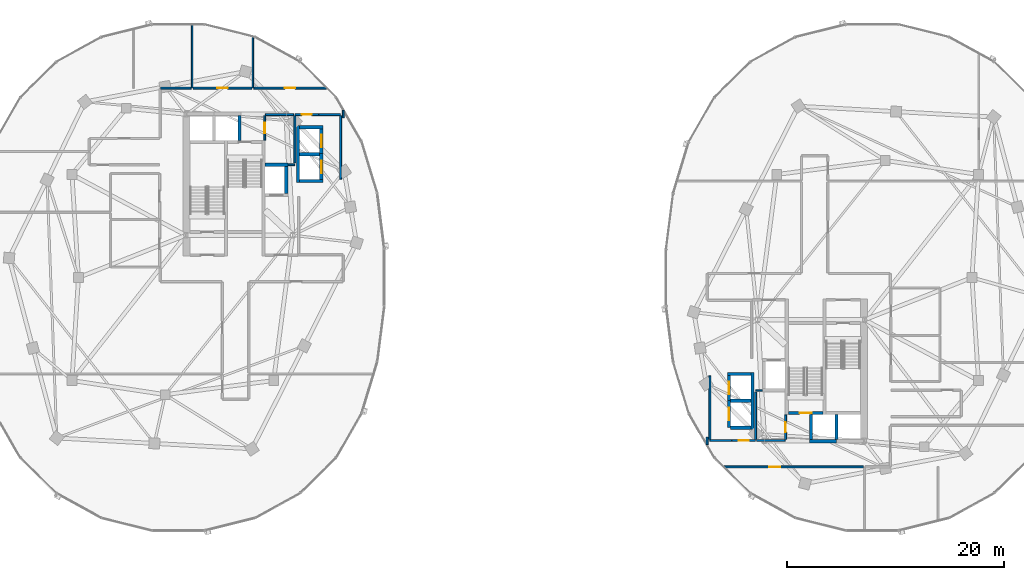
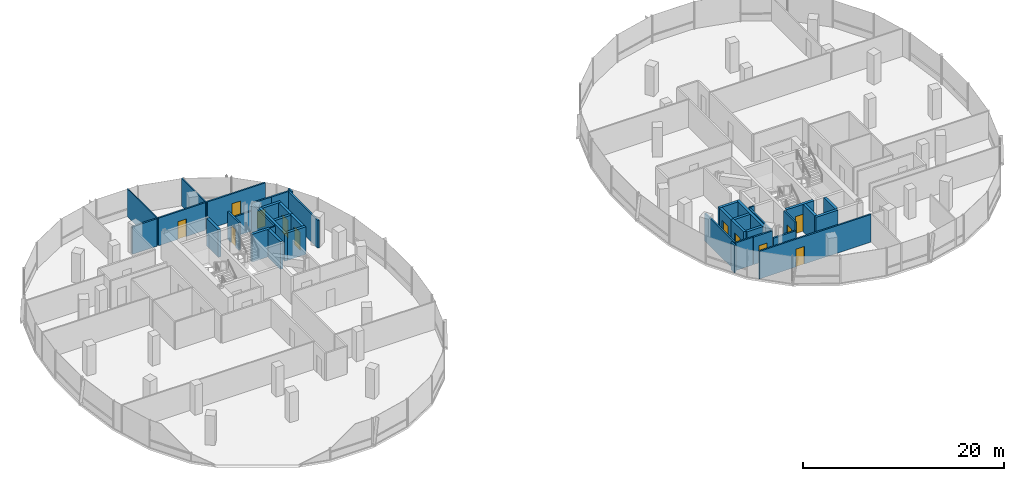
# One storey, part 13 of 22: 41 walls, 12 doors, 12 openings.
"""IFC4 building model written with IfcOpenShell, lengths in metres."""

from ifc_helpers import new_model, si_unit, direction, frame, frame_2d, origin, place, context, subcontext, project, spatial, rectangle, extrude, material, layer, layer_set, type_object, element, fill, save


model = new_model("IFC4")

# Units and contexts
model_context = context("Model", 3, precision=1e-05, world=origin(), true_north=direction((0.0, 1.0)))
body_context = subcontext(model_context, "Body", "Model", "MODEL_VIEW")
ifc_project = project(units=[si_unit("LENGTHUNIT", "METRE"), si_unit("AREAUNIT", "SQUARE_METRE"), si_unit("VOLUMEUNIT", "CUBIC_METRE"), si_unit("PLANEANGLEUNIT", "RADIAN"), si_unit("MASSUNIT", "GRAM", prefix="KILO"), si_unit("THERMODYNAMICTEMPERATUREUNIT", "KELVIN"), si_unit("POWERUNIT", "WATT")], contexts=[model_context])

# Site, building, storey
site_placement = place(None, origin())
site = spatial("IfcSite", under=ifc_project, at=site_placement, CompositionType="ELEMENT")
building_placement = place(site_placement, origin())
building = spatial("IfcBuilding", under=site, at=building_placement, Name="Cundina Bronze Exchange", CompositionType="ELEMENT")
storey_placement = place(building_placement, frame((0.0, 0.0, 162.0)))
storey = spatial("IfcBuildingStorey", under=building, at=storey_placement, Name="L42", CompositionType="ELEMENT", Elevation=162.0)

# Wall
ifc_material_1 = material(Name="Gypsum Fireboard Partition EI120")
ifc_layer_1 = layer(ifc_material_1, 0.179931640625, Name="Gypsum Fireboard Partition EI120")
ifc_layer_set_1 = layer_set([ifc_layer_1], Name="Gypsum Fireboard Partition EI120")
wall_type_1 = type_object("IfcWallType", Name="WL-COR-180", PredefinedType="PARTITIONING", material=ifc_layer_set_1)
wall_1_placement = place(storey_placement, frame((-17.02001953125, 9.070068359375, 0.0), z_axis=(0.0, 0.0, 1.0), x_axis=(0.0, 1.0, 0.0)))
element("IfcWall", 1, at=wall_1_placement, inside=storey, type_object=wall_type_1, Name="L42 Interior Partition 001", PredefinedType="PARTITIONING", context=body_context, shape_type="SweptSolid", body=[
    extrude(rectangle(XDim=5.85986328125, YDim=0.179931640625, at=frame_2d((2.929931640625, 0.0))), origin(), (0.0, 0.0, 1.0), 3.360107421875),
])

# Wall, opening, door
wall_2_placement = place(storey_placement, frame((-21.22998046875, 15.030029296875, 0.0), z_axis=(0.0, 0.0, 1.0), x_axis=(1.0, 0.0, 0.0)))
wall_2 = element("IfcWall", 2, at=wall_2_placement, inside=storey, type_object=wall_type_1, Name="L42 Interior Partition 002", PredefinedType="PARTITIONING", context=body_context, shape_type="SweptSolid", body=[
    extrude(rectangle(XDim=2.159912109375, YDim=0.179931640625, at=frame_2d((1.080078125, 0.0))), origin(), (0.0, 0.0, 1.0), 3.360107421875),
])
opening_1_placement = place(wall_2_placement, frame((0.60498046875, 0.0, 0.0)))
opening_1 = element("IfcOpeningElement", 3, at=opening_1_placement, cuts=wall_2, Name="Opening DW-01", PredefinedType="OPENING", context=body_context, shape_type="SweptSolid", body=[
    extrude(rectangle(XDim=0.949951171875, YDim=2.10009765625, at=frame_2d((0.47509765625, 1.050048828125))), frame((0.0, 0.099853515625, 0.0), z_axis=(0.0, -1.0, 0.0), x_axis=(1.0, 0.0, 0.0)), (0.0, 0.0, 1.0), 0.199951171875),
])
ifc_material_2 = material(Name="Solid Andean Oak Timber Grade A", Category="wood")
door_type_1 = type_object("IfcDoorType", Name="DR-WC-950", OperationType="NOTDEFINED", PredefinedType="DOOR", material=ifc_material_2)
door_1_placement = place(opening_1_placement, origin())
door_1 = element("IfcDoor", 4, at=door_1_placement, inside=storey, type_object=door_type_1, Name="L42 Interior Door 002", OperationType="SINGLE_SWING_RIGHT", OverallHeight=2.10009765625, OverallWidth=0.949951171875, PredefinedType="DOOR", context=body_context, shape_type="SweptSolid", body=[
    extrude(rectangle(XDim=0.949951171875, YDim=2.10009765625, at=frame_2d((0.47509765625, 1.050048828125))), frame((0.0, 0.02490234375, 0.0), z_axis=(0.0, -1.0, 0.0), x_axis=(1.0, 0.0, 0.0)), (0.0, 0.0, 1.0), 0.050048828125),
])
fill(opening_1, door_1)

# Walls
wall_3_placement = place(storey_placement, frame((-19.030029296875, 15.030029296875, 0.0), z_axis=(0.0, 0.0, 1.0), x_axis=(1.0, 0.0, 0.0)))
element("IfcWall", 5, at=wall_3_placement, inside=storey, type_object=wall_type_1, Name="L42 Interior Partition 003", PredefinedType="PARTITIONING", context=body_context, shape_type="SweptSolid", body=[
    extrude(rectangle(XDim=1.989990234375, YDim=0.179931640625, at=frame_2d((0.9951171875, 0.0))), origin(), (0.0, 0.0, 1.0), 3.360107421875),
])
wall_4_placement = place(storey_placement, frame((-21.25, 10.570068359375, 0.0), z_axis=(0.0, 0.0, 1.0), x_axis=(0.0, 1.0, 0.0)))
element("IfcWall", 6, at=wall_4_placement, inside=storey, type_object=wall_type_1, Name="L42 Interior Partition 005", PredefinedType="PARTITIONING", context=body_context, shape_type="SweptSolid", body=[
    extrude(rectangle(XDim=4.35986328125, YDim=0.179931640625, at=frame_2d((2.179931640625, 0.0))), origin(), (0.0, 0.0, 1.0), 3.360107421875),
])
wall_5_placement = place(storey_placement, frame((-23.9599609375, 15.030029296875, 0.0), z_axis=(0.0, 0.0, 1.0), x_axis=(1.0, 0.0, 0.0)))
element("IfcWall", 7, at=wall_5_placement, inside=storey, type_object=wall_type_1, Name="L42 Interior Partition 006", PredefinedType="PARTITIONING", context=body_context, shape_type="SweptSolid", body=[
    extrude(rectangle(XDim=2.60986328125, YDim=0.179931640625, at=frame_2d((1.304931640625, 0.0))), origin(), (0.0, 0.0, 1.0), 2.43310546875),
])

# Wall, opening, door
wall_6_placement = place(storey_placement, frame((-24.02001953125, 12.669921875, 0.0), z_axis=(0.0, 0.0, 1.0), x_axis=(0.0, 1.0, 0.0)))
wall_6 = element("IfcWall", 8, at=wall_6_placement, inside=storey, type_object=wall_type_1, Name="L42 Interior Partition 007", PredefinedType="PARTITIONING", context=body_context, shape_type="SweptSolid", body=[
    extrude(rectangle(XDim=2.260009765625, YDim=0.179931640625, at=frame_2d((1.1298828125, 0.0))), origin(), (0.0, 0.0, 1.0), 3.360107421875),
])
opening_2_placement = place(wall_6_placement, frame((0.655029296875, 0.0, 0.0)))
opening_2 = element("IfcOpeningElement", 9, at=opening_2_placement, cuts=wall_6, Name="Opening DW-01", PredefinedType="OPENING", context=body_context, shape_type="SweptSolid", body=[
    extrude(rectangle(XDim=0.949951171875, YDim=2.10009765625, at=frame_2d((0.47509765625, 1.050048828125))), frame((0.0, 0.099853515625, 0.0), z_axis=(0.0, -1.0, 0.0), x_axis=(1.0, 0.0, 0.0)), (0.0, 0.0, 1.0), 0.199951171875),
])
door_2_placement = place(opening_2_placement, origin())
door_2 = element("IfcDoor", 10, at=door_2_placement, inside=storey, type_object=door_type_1, Name="L42 Interior Door 007", OperationType="SINGLE_SWING_RIGHT", OverallHeight=2.10009765625, OverallWidth=0.949951171875, PredefinedType="DOOR", context=body_context, shape_type="SweptSolid", body=[
    extrude(rectangle(XDim=0.949951171875, YDim=2.10009765625, at=frame_2d((0.47509765625, 1.050048828125))), frame((0.0, 0.02490234375, 0.0), z_axis=(0.0, -1.0, 0.0), x_axis=(1.0, 0.0, 0.0)), (0.0, 0.0, 1.0), 0.050048828125),
])
fill(opening_2, door_2)

# Walls
wall_7_placement = place(storey_placement, frame((-16.780029296875, 14.721435546875, 0.0), z_axis=(0.0, 0.0, 1.0), x_axis=(0.0, 1.0, 0.0)))
element("IfcWall", 11, at=wall_7_placement, inside=storey, type_object=wall_type_1, Name="L42 Interior Partition 033", PredefinedType="PARTITIONING", context=body_context, shape_type="SweptSolid", body=[
    extrude(rectangle(XDim=0.68359375, YDim=0.179931640625, at=frame_2d((0.341796875, 0.0))), origin(), (0.0, 0.0, 1.0), 3.360107421875),
])
wall_8_placement = place(storey_placement, frame((-30.81005859375, 17.469970703125, 0.0), z_axis=(0.0, 0.0, 1.0), x_axis=(-1.0, 0.0, 0.0)))
element("IfcWall", 12, at=wall_8_placement, inside=storey, type_object=wall_type_1, Name="L42 Interior Partition 038", PredefinedType="PARTITIONING", context=body_context, shape_type="SweptSolid", body=[
    extrude(rectangle(XDim=2.818359375, YDim=0.179931640625, at=frame_2d((1.4091796875, 0.0))), origin(), (0.0, 0.0, 1.0), 3.360107421875),
])

# Wall, opening, door
wall_9_placement = place(storey_placement, frame((-18.341796875, 17.469970703125, 0.0), z_axis=(0.0, 0.0, 1.0), x_axis=(-1.0, 0.0, 0.0)))
wall_9 = element("IfcWall", 13, at=wall_9_placement, inside=storey, type_object=wall_type_1, Name="L42 Interior Partition 040", PredefinedType="PARTITIONING", context=body_context, shape_type="SweptSolid", body=[
    extrude(rectangle(XDim=6.688232421875, YDim=0.179931640625, at=frame_2d((3.34423828125, 0.0))), origin(), (0.0, 0.0, 1.0), 3.360107421875),
])
opening_3_placement = place(wall_9_placement, frame((2.84423828125, 0.0, 0.0)))
opening_3 = element("IfcOpeningElement", 14, at=opening_3_placement, cuts=wall_9, Name="Opening DO-01", PredefinedType="OPENING", context=body_context, shape_type="SweptSolid", body=[
    extrude(rectangle(XDim=1.0, YDim=2.14990234375, at=frame_2d((0.5, 1.074951171875))), frame((0.0, 0.099853515625, 0.0), z_axis=(0.0, -1.0, 0.0), x_axis=(1.0, 0.0, 0.0)), (0.0, 0.0, 1.0), 0.199951171875),
])
door_type_2 = type_object("IfcDoorType", Name="DR-OFF-1000", OperationType="NOTDEFINED", PredefinedType="DOOR", material=ifc_material_2)
door_3_placement = place(opening_3_placement, origin())
door_3 = element("IfcDoor", 15, at=door_3_placement, inside=storey, type_object=door_type_2, Name="L42 Interior Door 040", OperationType="SINGLE_SWING_RIGHT", OverallHeight=2.14990234375, OverallWidth=1.0, PredefinedType="DOOR", context=body_context, shape_type="SweptSolid", body=[
    extrude(rectangle(XDim=1.0, YDim=2.14990234375, at=frame_2d((0.5, 1.074951171875))), frame((0.0, 0.02490234375, 0.0), z_axis=(0.0, -1.0, 0.0), x_axis=(1.0, 0.0, 0.0)), (0.0, 0.0, 1.0), 0.050048828125),
])
fill(opening_3, door_3)

wall_10_placement = place(storey_placement, frame((-25.2099609375, 17.469970703125, 0.0), z_axis=(0.0, 0.0, 1.0), x_axis=(-1.0, 0.0, 0.0)))
wall_10 = element("IfcWall", 16, at=wall_10_placement, inside=storey, type_object=wall_type_1, Name="L42 Interior Partition 041", PredefinedType="PARTITIONING", context=body_context, shape_type="SweptSolid", body=[
    extrude(rectangle(XDim=5.419921875, YDim=0.179931640625, at=frame_2d((2.7099609375, 0.0))), origin(), (0.0, 0.0, 1.0), 3.360107421875),
])
opening_4_placement = place(wall_10_placement, frame((2.2099609375, 0.0, 0.0)))
opening_4 = element("IfcOpeningElement", 17, at=opening_4_placement, cuts=wall_10, Name="Opening DO-01", PredefinedType="OPENING", context=body_context, shape_type="SweptSolid", body=[
    extrude(rectangle(XDim=1.0, YDim=2.14990234375, at=frame_2d((0.5, 1.074951171875))), frame((0.0, 0.099853515625, 0.0), z_axis=(0.0, -1.0, 0.0), x_axis=(1.0, 0.0, 0.0)), (0.0, 0.0, 1.0), 0.199951171875),
])
door_4_placement = place(opening_4_placement, origin())
door_4 = element("IfcDoor", 18, at=door_4_placement, inside=storey, type_object=door_type_2, Name="L42 Interior Door 041", OperationType="SINGLE_SWING_RIGHT", OverallHeight=2.14990234375, OverallWidth=1.0, PredefinedType="DOOR", context=body_context, shape_type="SweptSolid", body=[
    extrude(rectangle(XDim=1.0, YDim=2.14990234375, at=frame_2d((0.5, 1.074951171875))), frame((0.0, 0.02490234375, 0.0), z_axis=(0.0, -1.0, 0.0), x_axis=(1.0, 0.0, 0.0)), (0.0, 0.0, 1.0), 0.050048828125),
])
fill(opening_4, door_4)

# Walls
wall_11_placement = place(storey_placement, frame((17.02001953125, -14.929931640625, 0.0), z_axis=(0.0, 0.0, 1.0), x_axis=(0.0, 1.0, 0.0)))
element("IfcWall", 19, at=wall_11_placement, inside=storey, type_object=wall_type_1, Name="L42 Interior Partition 042", PredefinedType="PARTITIONING", context=body_context, shape_type="SweptSolid", body=[
    extrude(rectangle(XDim=5.85986328125, YDim=0.179931640625, at=frame_2d((2.929931640625, 0.0))), origin(), (0.0, 0.0, 1.0), 3.360107421875),
])
wall_12_placement = place(storey_placement, frame((17.0400390625, -15.030029296875, 0.0), z_axis=(0.0, 0.0, 1.0), x_axis=(1.0, 0.0, 0.0)))
element("IfcWall", 20, at=wall_12_placement, inside=storey, type_object=wall_type_1, Name="L42 Interior Partition 043", PredefinedType="PARTITIONING", context=body_context, shape_type="SweptSolid", body=[
    extrude(rectangle(XDim=1.989990234375, YDim=0.179931640625, at=frame_2d((0.9951171875, 0.0))), origin(), (0.0, 0.0, 1.0), 3.360107421875),
])

# Wall, opening, door
wall_13_placement = place(storey_placement, frame((21.22998046875, -15.030029296875, 0.0), z_axis=(0.0, 0.0, 1.0), x_axis=(-1.0, 0.0, 0.0)))
wall_13 = element("IfcWall", 21, at=wall_13_placement, inside=storey, type_object=wall_type_1, Name="L42 Interior Partition 044", PredefinedType="PARTITIONING", context=body_context, shape_type="SweptSolid", body=[
    extrude(rectangle(XDim=2.159912109375, YDim=0.179931640625, at=frame_2d((1.080078125, 0.0))), origin(), (0.0, 0.0, 1.0), 3.360107421875),
])
opening_5_placement = place(wall_13_placement, frame((0.60498046875, 0.0, 0.0)))
opening_5 = element("IfcOpeningElement", 22, at=opening_5_placement, cuts=wall_13, Name="Opening DW-01", PredefinedType="OPENING", context=body_context, shape_type="SweptSolid", body=[
    extrude(rectangle(XDim=0.949951171875, YDim=2.10009765625, at=frame_2d((0.47509765625, 1.050048828125))), frame((0.0, 0.099853515625, 0.0), z_axis=(0.0, -1.0, 0.0), x_axis=(1.0, 0.0, 0.0)), (0.0, 0.0, 1.0), 0.199951171875),
])
door_5_placement = place(opening_5_placement, origin())
door_5 = element("IfcDoor", 23, at=door_5_placement, inside=storey, type_object=door_type_1, Name="L42 Interior Door 044", OperationType="SINGLE_SWING_LEFT", OverallHeight=2.10009765625, OverallWidth=0.949951171875, PredefinedType="DOOR", context=body_context, shape_type="SweptSolid", body=[
    extrude(rectangle(XDim=0.949951171875, YDim=2.10009765625, at=frame_2d((0.47509765625, 1.050048828125))), frame((0.0, 0.02490234375, 0.0), z_axis=(0.0, -1.0, 0.0), x_axis=(1.0, 0.0, 0.0)), (0.0, 0.0, 1.0), 0.050048828125),
])
fill(opening_5, door_5)

# Walls
wall_14_placement = place(storey_placement, frame((21.25, -14.929931640625, 0.0), z_axis=(0.0, 0.0, 1.0), x_axis=(0.0, 1.0, 0.0)))
element("IfcWall", 24, at=wall_14_placement, inside=storey, type_object=wall_type_1, Name="L42 Interior Partition 046", PredefinedType="PARTITIONING", context=body_context, shape_type="SweptSolid", body=[
    extrude(rectangle(XDim=4.35986328125, YDim=0.179931640625, at=frame_2d((2.179931640625, 0.0))), origin(), (0.0, 0.0, 1.0), 3.360107421875),
])
wall_15_placement = place(storey_placement, frame((21.35009765625, -15.030029296875, 0.0), z_axis=(0.0, 0.0, 1.0), x_axis=(1.0, 0.0, 0.0)))
element("IfcWall", 25, at=wall_15_placement, inside=storey, type_object=wall_type_1, Name="L42 Interior Partition 047", PredefinedType="PARTITIONING", context=body_context, shape_type="SweptSolid", body=[
    extrude(rectangle(XDim=2.60986328125, YDim=0.179931640625, at=frame_2d((1.304931640625, 0.0))), origin(), (0.0, 0.0, 1.0), 2.43310546875),
])

# Wall, opening, door
wall_16_placement = place(storey_placement, frame((24.02001953125, -14.929931640625, 0.0), z_axis=(0.0, 0.0, 1.0), x_axis=(0.0, 1.0, 0.0)))
wall_16 = element("IfcWall", 26, at=wall_16_placement, inside=storey, type_object=wall_type_1, Name="L42 Interior Partition 048", PredefinedType="PARTITIONING", context=body_context, shape_type="SweptSolid", body=[
    extrude(rectangle(XDim=2.260009765625, YDim=0.179931640625, at=frame_2d((1.1298828125, 0.0))), origin(), (0.0, 0.0, 1.0), 3.360107421875),
])
opening_6_placement = place(wall_16_placement, frame((0.655029296875, 0.0, 0.0)))
opening_6 = element("IfcOpeningElement", 27, at=opening_6_placement, cuts=wall_16, Name="Opening DW-01", PredefinedType="OPENING", context=body_context, shape_type="SweptSolid", body=[
    extrude(rectangle(XDim=0.949951171875, YDim=2.10009765625, at=frame_2d((0.47509765625, 1.050048828125))), frame((0.0, 0.099853515625, 0.0), z_axis=(0.0, -1.0, 0.0), x_axis=(1.0, 0.0, 0.0)), (0.0, 0.0, 1.0), 0.199951171875),
])
door_6_placement = place(opening_6_placement, origin())
door_6 = element("IfcDoor", 28, at=door_6_placement, inside=storey, type_object=door_type_1, Name="L42 Interior Door 048", OperationType="SINGLE_SWING_LEFT", OverallHeight=2.10009765625, OverallWidth=0.949951171875, PredefinedType="DOOR", context=body_context, shape_type="SweptSolid", body=[
    extrude(rectangle(XDim=0.949951171875, YDim=2.10009765625, at=frame_2d((0.47509765625, 1.050048828125))), frame((0.0, 0.02490234375, 0.0), z_axis=(0.0, -1.0, 0.0), x_axis=(1.0, 0.0, 0.0)), (0.0, 0.0, 1.0), 0.050048828125),
])
fill(opening_6, door_6)

wall_17_placement = place(storey_placement, frame((18.341796875, -17.469970703125, 0.0), z_axis=(0.0, 0.0, 1.0), x_axis=(1.0, 0.0, 0.0)))
wall_17 = element("IfcWall", 29, at=wall_17_placement, inside=storey, type_object=wall_type_1, Name="L42 Interior Partition 064", PredefinedType="PARTITIONING", context=body_context, shape_type="SweptSolid", body=[
    extrude(rectangle(XDim=12.84814453125, YDim=0.179931640625, at=frame_2d((6.424072265625, 0.0))), origin(), (0.0, 0.0, 1.0), 3.360107421875),
])
opening_7_placement = place(wall_17_placement, frame((4.182861328125, 0.0, 0.0)))
opening_7 = element("IfcOpeningElement", 30, at=opening_7_placement, cuts=wall_17, Name="Opening DO-01", PredefinedType="OPENING", context=body_context, shape_type="SweptSolid", body=[
    extrude(rectangle(XDim=1.0, YDim=2.14990234375, at=frame_2d((0.5, 1.074951171875))), frame((0.0, 0.099853515625, 0.0), z_axis=(0.0, -1.0, 0.0), x_axis=(1.0, 0.0, 0.0)), (0.0, 0.0, 1.0), 0.199951171875),
])
door_7_placement = place(opening_7_placement, origin())
door_7 = element("IfcDoor", 31, at=door_7_placement, inside=storey, type_object=door_type_2, Name="L42 Interior Door 064", OperationType="SINGLE_SWING_RIGHT", OverallHeight=2.14990234375, OverallWidth=1.0, PredefinedType="DOOR", context=body_context, shape_type="SweptSolid", body=[
    extrude(rectangle(XDim=1.0, YDim=2.14990234375, at=frame_2d((0.5, 1.074951171875))), frame((0.0, 0.02490234375, 0.0), z_axis=(0.0, -1.0, 0.0), x_axis=(1.0, 0.0, 0.0)), (0.0, 0.0, 1.0), 0.050048828125),
])
fill(opening_7, door_7)

# Walls
wall_18_placement = place(storey_placement, frame((16.780029296875, -14.721435546875, 0.0), z_axis=(0.0, 0.0, 1.0), x_axis=(0.0, -1.0, 0.0)))
element("IfcWall", 32, at=wall_18_placement, inside=storey, type_object=wall_type_1, Name="L42 Interior Partition 074", PredefinedType="PARTITIONING", context=body_context, shape_type="SweptSolid", body=[
    extrude(rectangle(XDim=0.68359375, YDim=0.179931640625, at=frame_2d((0.341796875, 0.0))), origin(), (0.0, 0.0, 1.0), 3.360107421875),
])
ifc_material_3 = material(Name="Gypsum Acoustic Partition EI60")
ifc_layer_2 = layer(ifc_material_3, 0.125, Name="Gypsum Acoustic Partition EI60")
ifc_layer_set_2 = layer_set([ifc_layer_2], Name="Gypsum Acoustic Partition EI60")
wall_type_2 = type_object("IfcWallType", Name="WL-OFF-125", PredefinedType="PARTITIONING", material=ifc_layer_set_2)
wall_19_placement = place(storey_placement, frame((-30.719970703125, 17.5, 0.0), z_axis=(0.0, 0.0, 1.0), x_axis=(0.0, 1.0, 0.0)))
element("IfcWall", 33, at=wall_19_placement, inside=storey, type_object=wall_type_2, Name="L42 Interior Partition 021", PredefinedType="PARTITIONING", context=body_context, shape_type="SweptSolid", body=[
    extrude(rectangle(XDim=5.902099609375, YDim=0.125, at=frame_2d((2.951171875, 0.0))), origin(), (0.0, 0.0, 1.0), 3.360107421875),
])
wall_20_placement = place(storey_placement, frame((-25.1201171875, 17.5, 0.0), z_axis=(0.0, 0.0, 1.0), x_axis=(0.0, 1.0, 0.0)))
element("IfcWall", 34, at=wall_20_placement, inside=storey, type_object=wall_type_2, Name="L42 Interior Partition 022", PredefinedType="PARTITIONING", context=body_context, shape_type="SweptSolid", body=[
    extrude(rectangle(XDim=4.791015625, YDim=0.125, at=frame_2d((2.3955078125, 0.0))), origin(), (0.0, 0.0, 1.0), 3.360107421875),
])
ifc_material_4 = material(Name="Concrete C50/60", Category="concrete")
ifc_layer_3 = layer(ifc_material_4, 0.300048828125, Name="Concrete C50/60", Category="concrete")
ifc_layer_set_3 = layer_set([ifc_layer_3], Name="Concrete C50/60")
wall_type_3 = type_object("IfcWallType", Name="WL-SHFT-300", PredefinedType="SHEAR", material=ifc_layer_set_3)
wall_21_placement = place(storey_placement, frame((-23.97998046875, 10.39990234375, 0.0), z_axis=(0.0, 0.0, 1.0), x_axis=(1.0, 0.0, 0.0)))
element("IfcWall", 35, at=wall_21_placement, inside=storey, type_object=wall_type_3, Name="L42 FFL-W Hoistway Back Wall", PredefinedType="SHEAR", context=body_context, shape_type="SweptSolid", body=[
    extrude(rectangle(XDim=2.10009765625, YDim=0.300048828125, at=frame_2d((1.050048828125, 0.0))), origin(), (0.0, 0.0, 1.0), 3.360107421875),
])
wall_22_placement = place(storey_placement, frame((-22.030029296875, 7.75, 0.0), z_axis=(0.0, 0.0, 1.0), x_axis=(0.0, 1.0, 0.0)))
element("IfcWall", 36, at=wall_22_placement, inside=storey, type_object=wall_type_3, Name="L42 FFL-W Hoistway Side Wall", PredefinedType="SHEAR", context=body_context, shape_type="SweptSolid", body=[
    extrude(rectangle(XDim=2.5, YDim=0.300048828125, at=frame_2d((1.25, 0.0))), origin(), (0.0, 0.0, 1.0), 3.360107421875),
])
wall_23_placement = place(storey_placement, frame((-26.35009765625, 12.64990234375, 0.0), z_axis=(0.0, 0.0, 1.0), x_axis=(0.0, 1.0, 0.0)))
element("IfcWall", 37, at=wall_23_placement, inside=storey, type_object=wall_type_3, Name="L42 PH-W2 Hoistway Divider Wall", PredefinedType="SHEAR", context=body_context, shape_type="SweptSolid", body=[
    extrude(rectangle(XDim=2.300048828125, YDim=0.300048828125, at=frame_2d((1.14990234375, 0.0))), origin(), (0.0, 0.0, 1.0), 3.360107421875),
])
wall_24_placement = place(storey_placement, frame((-20.949951171875, 8.75, 0.0), z_axis=(0.0, 0.0, 1.0), x_axis=(0.0, 1.0, 0.0)))
element("IfcWall", 38, at=wall_24_placement, inside=storey, type_object=wall_type_3, Name="L42 W Passenger Bank Hoistway Back Wall", PredefinedType="SHEAR", context=body_context, shape_type="SweptSolid", body=[
    extrude(rectangle(XDim=5.25, YDim=0.300048828125, at=frame_2d((2.625, 0.0))), origin(), (0.0, 0.0, 1.0), 3.360107421875),
])
for number, where, z_axis, x_axis, name in (
    (39, (-20.800048828125, 8.89990234375, 0.0), (0.0, 0.0, 1.0), (1.0, 0.0, 0.0), "L42 W Passenger Bank South Cap Wall"),
    (40, (-20.800048828125, 13.85009765625, 0.0), (0.0, 0.0, 1.0), (1.0, 0.0, 0.0), "L42 W Passenger Bank North Cap Wall"),
):
    element("IfcWall", number, at=place(storey_placement, frame(where, z_axis=z_axis, x_axis=x_axis)), inside=storey, type_object=wall_type_3, Name=name, PredefinedType="SHEAR", context=body_context, shape_type="SweptSolid", body=[
        extrude(rectangle(XDim=2.150146484375, YDim=0.300048828125, at=frame_2d((1.0751953125, 0.0))), origin(), (0.0, 0.0, 1.0), 3.360107421875),
    ])
wall_25_placement = place(storey_placement, frame((-20.800048828125, 11.375, 0.0), z_axis=(0.0, 0.0, 1.0), x_axis=(1.0, 0.0, 0.0)))
element("IfcWall", 41, at=wall_25_placement, inside=storey, type_object=wall_type_3, Name="L42 W Passenger Hoistway Divider 1", PredefinedType="SHEAR", context=body_context, shape_type="SweptSolid", body=[
    extrude(rectangle(XDim=1.85009765625, YDim=0.300048828125, at=frame_2d((0.925048828125, 0.0))), origin(), (0.0, 0.0, 1.0), 3.360107421875),
])

# Wall, opening, door
wall_26_placement = place(storey_placement, frame((-18.800048828125, 8.929931640625, 0.0), z_axis=(0.0, 0.0, 1.0), x_axis=(0.0, 1.0, 0.0)))
wall_26 = element("IfcWall", 42, at=wall_26_placement, inside=storey, type_object=wall_type_3, Name="L42 PM-W2 Hoistway Front Wall", PredefinedType="SHEAR", context=body_context, shape_type="SweptSolid", body=[
    extrude(rectangle(XDim=2.489990234375, YDim=0.300048828125, at=frame_2d((1.2451171875, 0.0))), origin(), (0.0, 0.0, 1.0), 3.360107421875),
])
opening_8_placement = place(wall_26_placement, frame((0.669921875, 0.0, 0.0)))
opening_8 = element("IfcOpeningElement", 43, at=opening_8_placement, cuts=wall_26, Name="Opening LD-01", PredefinedType="OPENING", context=body_context, shape_type="SweptSolid", body=[
    extrude(rectangle(XDim=1.14990234375, YDim=2.199951171875, at=frame_2d((0.574951171875, 1.10009765625))), frame((0.0, 0.159912109375, 0.0), z_axis=(0.0, -1.0, 0.0), x_axis=(1.0, 0.0, 0.0)), (0.0, 0.0, 1.0), 0.320068359375),
])
ifc_material_5 = material(Name="Steel ASTM A36 Painted", Category="steel")
door_type_3 = type_object("IfcDoorType", Name="DR-LND-1150", OperationType="NOTDEFINED", PredefinedType="TRAPDOOR", material=ifc_material_5)
door_8_placement = place(opening_8_placement, origin())
door_8 = element("IfcDoor", 44, at=door_8_placement, inside=storey, type_object=door_type_3, Name="L42 PM-W2 Sliding Landing Door", OperationType="SLIDING_TO_LEFT", OverallHeight=2.199951171875, OverallWidth=1.14990234375, PredefinedType="TRAPDOOR", context=body_context, shape_type="SweptSolid", body=[
    extrude(rectangle(XDim=1.14990234375, YDim=2.199951171875, at=frame_2d((0.574951171875, 1.10009765625))), frame((0.0, 0.02490234375, 0.0), z_axis=(0.0, -1.0, 0.0), x_axis=(1.0, 0.0, 0.0)), (0.0, 0.0, 1.0), 0.050048828125),
])
fill(opening_8, door_8)

wall_27_placement = place(storey_placement, frame((-18.800048828125, 11.330078125, 0.0), z_axis=(0.0, 0.0, 1.0), x_axis=(0.0, 1.0, 0.0)))
wall_27 = element("IfcWall", 45, at=wall_27_placement, inside=storey, type_object=wall_type_3, Name="L42 PM-W1 Hoistway Front Wall", PredefinedType="SHEAR", context=body_context, shape_type="SweptSolid", body=[
    extrude(rectangle(XDim=2.489990234375, YDim=0.300048828125, at=frame_2d((1.2451171875, 0.0))), origin(), (0.0, 0.0, 1.0), 3.360107421875),
])
opening_9_placement = place(wall_27_placement, frame((0.669921875, 0.0, 0.0)))
opening_9 = element("IfcOpeningElement", 46, at=opening_9_placement, cuts=wall_27, Name="Opening LD-01", PredefinedType="OPENING", context=body_context, shape_type="SweptSolid", body=[
    extrude(rectangle(XDim=1.14990234375, YDim=2.199951171875, at=frame_2d((0.574951171875, 1.10009765625))), frame((0.0, 0.159912109375, 0.0), z_axis=(0.0, -1.0, 0.0), x_axis=(1.0, 0.0, 0.0)), (0.0, 0.0, 1.0), 0.320068359375),
])
door_9_placement = place(opening_9_placement, origin())
door_9 = element("IfcDoor", 47, at=door_9_placement, inside=storey, type_object=door_type_3, Name="L42 PM-W1 Sliding Landing Door", OperationType="SLIDING_TO_LEFT", OverallHeight=2.199951171875, OverallWidth=1.14990234375, PredefinedType="TRAPDOOR", context=body_context, shape_type="SweptSolid", body=[
    extrude(rectangle(XDim=1.14990234375, YDim=2.199951171875, at=frame_2d((0.574951171875, 1.10009765625))), frame((0.0, 0.02490234375, 0.0), z_axis=(0.0, -1.0, 0.0), x_axis=(1.0, 0.0, 0.0)), (0.0, 0.0, 1.0), 0.050048828125),
])
fill(opening_9, door_9)

wall_28_placement = place(storey_placement, frame((24.280029296875, -12.5, 0.0), z_axis=(0.0, 0.0, 1.0), x_axis=(1.0, 0.0, 0.0)))
wall_28 = element("IfcWall", 48, at=wall_28_placement, inside=storey, type_object=wall_type_3, Name="L42 Stair E2 Landing Wall", PredefinedType="SHEAR", context=body_context, shape_type="SweptSolid", body=[
    extrude(rectangle(XDim=3.159912109375, YDim=0.300048828125, at=frame_2d((1.580078125, 0.0))), origin(), (0.0, 0.0, 1.0), 3.360107421875),
])
opening_10_placement = place(wall_28_placement, frame((1.030029296875, 0.0, 0.0)))
opening_10 = element("IfcOpeningElement", 49, at=opening_10_placement, cuts=wall_28, Name="Opening DS-01", PredefinedType="OPENING", context=body_context, shape_type="SweptSolid", body=[
    extrude(rectangle(XDim=1.10009765625, YDim=2.14990234375, at=frame_2d((0.550048828125, 1.074951171875))), frame((0.0, 0.159912109375, 0.0), z_axis=(0.0, -1.0, 0.0), x_axis=(1.0, 0.0, 0.0)), (0.0, 0.0, 1.0), 0.320068359375),
])
door_type_4 = type_object("IfcDoorType", Name="DR-STR-1100", OperationType="NOTDEFINED", PredefinedType="DOOR", material=ifc_material_5)
door_10_placement = place(opening_10_placement, origin())
door_10 = element("IfcDoor", 50, at=door_10_placement, inside=storey, type_object=door_type_4, Name="L42 Smokeproof Stair E2 Door", OperationType="SINGLE_SWING_RIGHT", OverallHeight=2.14990234375, OverallWidth=1.10009765625, PredefinedType="DOOR", context=body_context, shape_type="SweptSolid", body=[
    extrude(rectangle(XDim=1.10009765625, YDim=2.14990234375, at=frame_2d((0.550048828125, 1.074951171875))), frame((0.0, 0.02490234375, 0.0), z_axis=(0.0, -1.0, 0.0), x_axis=(1.0, 0.0, 0.0)), (0.0, 0.0, 1.0), 0.050048828125),
])
fill(opening_10, door_10)

# Walls
wall_29_placement = place(storey_placement, frame((28.699951171875, -14.949951171875, 0.0), z_axis=(0.0, 0.0, 1.0), x_axis=(0.0, 1.0, 0.0)))
element("IfcWall", 51, at=wall_29_placement, inside=storey, type_object=wall_type_3, Name="L42 PH-E1 Hoistway Divider Wall", PredefinedType="SHEAR", context=body_context, shape_type="SweptSolid", body=[
    extrude(rectangle(XDim=2.300048828125, YDim=0.300048828125, at=frame_2d((1.14990234375, 0.0))), origin(), (0.0, 0.0, 1.0), 3.360107421875),
])
wall_30_placement = place(storey_placement, frame((26.199951171875, -15.10009765625, 0.0), z_axis=(0.0, 0.0, 1.0), x_axis=(1.0, 0.0, 0.0)))
element("IfcWall", 52, at=wall_30_placement, inside=storey, type_object=wall_type_3, Name="L42 PH-E2 Hoistway Front Wall", PredefinedType="SHEAR", context=body_context, shape_type="SweptSolid", body=[
    extrude(rectangle(XDim=2.5, YDim=0.300048828125, at=frame_2d((1.25, 0.0))), origin(), (0.0, 0.0, 1.0), 3.360107421875),
])
wall_31_placement = place(storey_placement, frame((26.35009765625, -14.949951171875, 0.0), z_axis=(0.0, 0.0, 1.0), x_axis=(0.0, 1.0, 0.0)))
element("IfcWall", 53, at=wall_31_placement, inside=storey, type_object=wall_type_3, Name="L42 PH-E2 Hoistway Divider Wall", PredefinedType="SHEAR", context=body_context, shape_type="SweptSolid", body=[
    extrude(rectangle(XDim=2.300048828125, YDim=0.300048828125, at=frame_2d((1.14990234375, 0.0))), origin(), (0.0, 0.0, 1.0), 3.360107421875),
])
wall_32_placement = place(storey_placement, frame((20.949951171875, -14.0, 0.0), z_axis=(0.0, 0.0, 1.0), x_axis=(0.0, 1.0, 0.0)))
element("IfcWall", 54, at=wall_32_placement, inside=storey, type_object=wall_type_3, Name="L42 E Passenger Bank Hoistway Back Wall", PredefinedType="SHEAR", context=body_context, shape_type="SweptSolid", body=[
    extrude(rectangle(XDim=5.25, YDim=0.300048828125, at=frame_2d((2.625, 0.0))), origin(), (0.0, 0.0, 1.0), 3.360107421875),
])
wall_33_placement = place(storey_placement, frame((18.949951171875, -13.85009765625, 0.0), z_axis=(0.0, 0.0, 1.0), x_axis=(1.0, 0.0, 0.0)))
element("IfcWall", 55, at=wall_33_placement, inside=storey, type_object=wall_type_3, Name="L42 E Passenger Bank South Cap Wall", PredefinedType="SHEAR", context=body_context, shape_type="SweptSolid", body=[
    extrude(rectangle(XDim=1.85009765625, YDim=0.300048828125, at=frame_2d((0.925048828125, 0.0))), origin(), (0.0, 0.0, 1.0), 3.360107421875),
])
wall_34_placement = place(storey_placement, frame((18.64990234375, -8.89990234375, 0.0), z_axis=(0.0, 0.0, 1.0), x_axis=(1.0, 0.0, 0.0)))
element("IfcWall", 56, at=wall_34_placement, inside=storey, type_object=wall_type_3, Name="L42 E Passenger Bank North Cap Wall", PredefinedType="SHEAR", context=body_context, shape_type="SweptSolid", body=[
    extrude(rectangle(XDim=2.150146484375, YDim=0.300048828125, at=frame_2d((1.0751953125, 0.0))), origin(), (0.0, 0.0, 1.0), 3.360107421875),
])
wall_35_placement = place(storey_placement, frame((18.949951171875, -11.375, 0.0), z_axis=(0.0, 0.0, 1.0), x_axis=(1.0, 0.0, 0.0)))
element("IfcWall", 57, at=wall_35_placement, inside=storey, type_object=wall_type_3, Name="L42 E Passenger Hoistway Divider 1", PredefinedType="SHEAR", context=body_context, shape_type="SweptSolid", body=[
    extrude(rectangle(XDim=1.85009765625, YDim=0.300048828125, at=frame_2d((0.925048828125, 0.0))), origin(), (0.0, 0.0, 1.0), 3.360107421875),
])

# Wall, opening, door
wall_36_placement = place(storey_placement, frame((18.800048828125, -13.820068359375, 0.0), z_axis=(0.0, 0.0, 1.0), x_axis=(0.0, 1.0, 0.0)))
wall_36 = element("IfcWall", 58, at=wall_36_placement, inside=storey, type_object=wall_type_3, Name="L42 PM-E1 Hoistway Front Wall", PredefinedType="SHEAR", context=body_context, shape_type="SweptSolid", body=[
    extrude(rectangle(XDim=2.489990234375, YDim=0.300048828125, at=frame_2d((1.2451171875, 0.0))), origin(), (0.0, 0.0, 1.0), 3.360107421875),
])
opening_11_placement = place(wall_36_placement, frame((0.669921875, 0.0, 0.0)))
opening_11 = element("IfcOpeningElement", 59, at=opening_11_placement, cuts=wall_36, Name="Opening LD-01", PredefinedType="OPENING", context=body_context, shape_type="SweptSolid", body=[
    extrude(rectangle(XDim=1.14990234375, YDim=2.199951171875, at=frame_2d((0.574951171875, 1.10009765625))), frame((0.0, 0.159912109375, 0.0), z_axis=(0.0, -1.0, 0.0), x_axis=(1.0, 0.0, 0.0)), (0.0, 0.0, 1.0), 0.320068359375),
])
door_11_placement = place(opening_11_placement, origin())
door_11 = element("IfcDoor", 60, at=door_11_placement, inside=storey, type_object=door_type_3, Name="L42 PM-E1 Sliding Landing Door", OperationType="SLIDING_TO_LEFT", OverallHeight=2.199951171875, OverallWidth=1.14990234375, PredefinedType="TRAPDOOR", context=body_context, shape_type="SweptSolid", body=[
    extrude(rectangle(XDim=1.14990234375, YDim=2.199951171875, at=frame_2d((0.574951171875, 1.10009765625))), frame((0.0, 0.02490234375, 0.0), z_axis=(0.0, -1.0, 0.0), x_axis=(1.0, 0.0, 0.0)), (0.0, 0.0, 1.0), 0.050048828125),
])
fill(opening_11, door_11)

wall_37_placement = place(storey_placement, frame((18.800048828125, -11.419921875, 0.0), z_axis=(0.0, 0.0, 1.0), x_axis=(0.0, 1.0, 0.0)))
wall_37 = element("IfcWall", 61, at=wall_37_placement, inside=storey, type_object=wall_type_3, Name="L42 PM-E2 Hoistway Front Wall", PredefinedType="SHEAR", context=body_context, shape_type="SweptSolid", body=[
    extrude(rectangle(XDim=2.489990234375, YDim=0.300048828125, at=frame_2d((1.2451171875, 0.0))), origin(), (0.0, 0.0, 1.0), 3.360107421875),
])
opening_12_placement = place(wall_37_placement, frame((0.669921875, 0.0, 0.0)))
opening_12 = element("IfcOpeningElement", 62, at=opening_12_placement, cuts=wall_37, Name="Opening LD-01", PredefinedType="OPENING", context=body_context, shape_type="SweptSolid", body=[
    extrude(rectangle(XDim=1.14990234375, YDim=2.199951171875, at=frame_2d((0.574951171875, 1.10009765625))), frame((0.0, 0.159912109375, 0.0), z_axis=(0.0, -1.0, 0.0), x_axis=(1.0, 0.0, 0.0)), (0.0, 0.0, 1.0), 0.320068359375),
])
door_12_placement = place(opening_12_placement, origin())
door_12 = element("IfcDoor", 63, at=door_12_placement, inside=storey, type_object=door_type_3, Name="L42 PM-E2 Sliding Landing Door", OperationType="SLIDING_TO_LEFT", OverallHeight=2.199951171875, OverallWidth=1.14990234375, PredefinedType="TRAPDOOR", context=body_context, shape_type="SweptSolid", body=[
    extrude(rectangle(XDim=1.14990234375, YDim=2.199951171875, at=frame_2d((0.574951171875, 1.10009765625))), frame((0.0, 0.02490234375, 0.0), z_axis=(0.0, -1.0, 0.0), x_axis=(1.0, 0.0, 0.0)), (0.0, 0.0, 1.0), 0.050048828125),
])
fill(opening_12, door_12)

# Walls
ifc_material_6 = material(Name="Moisture-Resistant Masonry Block Grade M15", Category="masonry")
ifc_layer_4 = layer(ifc_material_6, 0.139892578125, Name="Moisture-Resistant Masonry Block Grade M15", Category="masonry")
ifc_layer_set_4 = layer_set([ifc_layer_4], Name="Moisture-Resistant Masonry Block Grade M15")
wall_type_4 = type_object("IfcWallType", Name="WL-WET-140", PredefinedType="PARTITIONING", material=ifc_layer_set_4)
for number, where, z_axis, x_axis, name in (
    (64, (-21.860107421875, 10.39990234375, 0.0), (0.0, 0.0, 1.0), (1.0, 0.0, 0.0), "L42 Interior Partition 004"),
    (65, (21.27001953125, -10.39990234375, 0.0), (0.0, 0.0, 1.0), (1.0, 0.0, 0.0), "L42 Interior Partition 045"),
):
    element("IfcWall", number, at=place(storey_placement, frame(where, z_axis=z_axis, x_axis=x_axis)), inside=storey, type_object=wall_type_4, Name=name, PredefinedType="PARTITIONING", context=body_context, shape_type="SweptSolid", body=[
        extrude(rectangle(XDim=0.590087890625, YDim=0.139892578125, at=frame_2d((0.294921875, 0.0))), origin(), (0.0, 0.0, 1.0), 3.360107421875),
    ])

save(model, "model.ifc")
